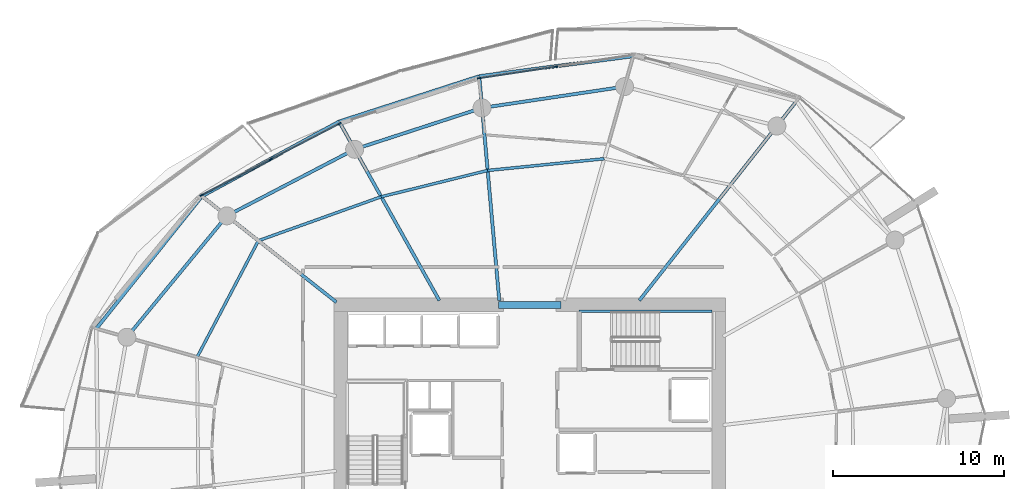
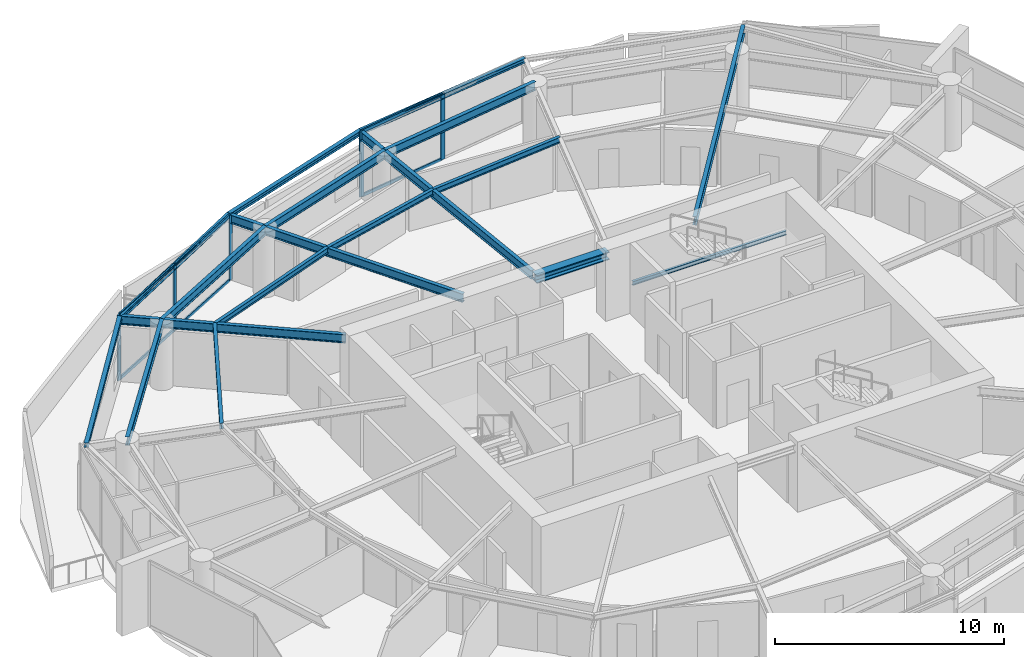
# One storey, part 8 of 20: 18 beams, 11 members, 2 elements without a shape of their own.
"""IFC4 building model written with IfcOpenShell, lengths in metres."""

from ifc_helpers import new_model, si_unit, direction, frame, origin, origin_2d, place, context, subcontext, project, spatial, rectangle, i_section, extrude, material, layer, layer_set, material_profile, profile_set, type_object, element, aggregate, save


model = new_model("IFC4")

# Units and contexts
model_context = context("Model", 3, precision=1e-05, world=origin(), true_north=direction((0.0, 1.0)))
body_context = subcontext(model_context, "Body", "Model", "MODEL_VIEW")
ifc_project = project(units=[si_unit("LENGTHUNIT", "METRE"), si_unit("AREAUNIT", "SQUARE_METRE"), si_unit("VOLUMEUNIT", "CUBIC_METRE"), si_unit("PLANEANGLEUNIT", "RADIAN"), si_unit("MASSUNIT", "GRAM", prefix="KILO")], contexts=[model_context])

# Site, building, storey
site_placement = place(None, origin())
site = spatial("IfcSite", under=ifc_project, at=site_placement, CompositionType="ELEMENT")
building_placement = place(site_placement, origin())
building = spatial("IfcBuilding", under=site, at=building_placement, Name="Kazma Halo Residences", CompositionType="ELEMENT")
storey_placement = place(building_placement, frame((0.0, 0.0, 139.050048828125)))
storey = spatial("IfcBuildingStorey", under=building, at=storey_placement, Name="L34", CompositionType="ELEMENT", Elevation=139.050048828125)

# Beams
ifc_material_1 = material(Name="Steel S355", Category="steel")
ifc_material_profile_1 = material_profile(ifc_material_1, i_section(OverallWidth=0.201904296875, OverallDepth=0.2470703125, WebThickness=0.00732421875, FlangeThickness=0.010986328125, FilletRadius=0.011962890625, at=origin_2d()), Name="W250x49.1")
ifc_profile_set_1 = profile_set([ifc_material_profile_1], Name="Steel S355")
beam_type_1 = type_object("IfcBeamType", Name="BM-BAL-CANT", PredefinedType="BEAM", material=ifc_profile_set_1)
beam_1_placement = place(storey_placement, frame((54.459228515625, 64.90234375, 3.37646484375), z_axis=(-0.991489228614, -0.130188745839, 0.0), x_axis=(0.130188745839, -0.991489228614, 0.0)))
element("IfcBeam", 1, at=beam_1_placement, inside=storey, type_object=beam_type_1, Name="L34 wave-balcony tie beam 03", PredefinedType="BEAM", context=body_context, shape_type="SweptSolid", body=[
    extrude(i_section(OverallWidth=0.201904296875, OverallDepth=0.2470703125, WebThickness=0.00732421875, FlangeThickness=0.010986328125, FilletRadius=0.011962890625, at=origin_2d()), origin(), (0.0, 0.0, 1.0), 9.053955078125),
])
beam_2_placement = place(storey_placement, frame((45.482421875, 63.7236328125, 3.37646484375), z_axis=(-0.951458235255, -0.307777885115, 0.0), x_axis=(0.307777885115, -0.951458235255, 0.0)))
element("IfcBeam", 2, at=beam_2_placement, inside=storey, type_object=beam_type_1, Name="L34 wave-balcony tie beam 04", PredefinedType="BEAM", context=body_context, shape_type="SweptSolid", body=[
    extrude(i_section(OverallWidth=0.201904296875, OverallDepth=0.2470703125, WebThickness=0.00732421875, FlangeThickness=0.010986328125, FilletRadius=0.011962890625, at=origin_2d()), origin(), (0.0, 0.0, 1.0), 8.585205078125),
])
beam_3_placement = place(storey_placement, frame((37.31396484375, 61.081298828125, 3.37646484375), z_axis=(-0.878572913315, -0.477608245312, 0.0), x_axis=(0.477608245312, -0.878572913315, 0.0)))
element("IfcBeam", 3, at=beam_3_placement, inside=storey, type_object=beam_type_1, Name="L34 wave-balcony tie beam 05", PredefinedType="BEAM", context=body_context, shape_type="SweptSolid", body=[
    extrude(i_section(OverallWidth=0.201904296875, OverallDepth=0.2470703125, WebThickness=0.00732421875, FlangeThickness=0.010986328125, FilletRadius=0.011962890625, at=origin_2d()), origin(), (0.0, 0.0, 1.0), 9.107177734375),
])
beam_4_placement = place(storey_placement, frame((29.312744140625, 56.731689453125, 3.37646484375), z_axis=(-0.623742400336, -0.781629975131, 0.0), x_axis=(0.781629975131, -0.623742400336, 0.0)))
element("IfcBeam", 4, at=beam_4_placement, inside=storey, type_object=beam_type_1, Name="L34 wave-balcony tie beam 06", PredefinedType="BEAM", context=body_context, shape_type="SweptSolid", body=[
    extrude(i_section(OverallWidth=0.201904296875, OverallDepth=0.2470703125, WebThickness=0.00732421875, FlangeThickness=0.010986328125, FilletRadius=0.011962890625, at=origin_2d()), origin(), (0.0, 0.0, 1.0), 9.880859375),
])
ifc_material_profile_2 = material_profile(ifc_material_1, i_section(OverallWidth=0.408935546875, OverallDepth=0.425048828125, WebThickness=0.03271484375, FlangeThickness=0.052490234375, FilletRadius=0.02001953125, at=origin_2d()), Name="W360x421")
ifc_profile_set_2 = profile_set([ifc_material_profile_2], Name="Steel S355")
beam_type_2 = type_object("IfcBeamType", Name="BM-CORE-W360H", PredefinedType="BEAM", material=ifc_profile_set_2)
beam_5_placement = place(storey_placement, frame((46.60009765625, 50.39990234375, 3.287353515625), z_axis=(1.0, 0.0, 0.0), x_axis=(0.0, 1.0, 0.0)))
element("IfcBeam", 5, at=beam_5_placement, inside=storey, type_object=beam_type_2, Name="L34 core coupling beam N", PredefinedType="BEAM", context=body_context, shape_type="SweptSolid", body=[
    extrude(i_section(OverallWidth=0.408935546875, OverallDepth=0.425048828125, WebThickness=0.03271484375, FlangeThickness=0.052490234375, FilletRadius=0.02001953125, at=origin_2d()), origin(), (0.0, 0.0, 1.0), 3.64990234375),
])
ifc_material_profile_3 = material_profile(ifc_material_1, i_section(OverallWidth=0.18994140625, OverallDepth=0.45703125, WebThickness=0.009033203125, FlangeThickness=0.014404296875, FilletRadius=0.01611328125, at=origin_2d()), Name="W460x74")
ifc_profile_set_3 = profile_set([ifc_material_profile_3], Name="Steel S355")
beam_type_3 = type_object("IfcBeamType", Name="BM-RAD-W460", PredefinedType="BEAM", material=ifc_profile_set_3)
beam_6_placement = place(storey_placement, frame((54.819091796875, 50.64990234375, 3.271484375), z_axis=(0.619094498239, 0.785316498139, 0.0), x_axis=(-0.785316498139, 0.619094498239, 0.0)))
element("IfcBeam", 6, at=beam_6_placement, inside=storey, type_object=beam_type_3, Name="L34 radial floor beam 02", PredefinedType="BEAM", context=body_context, shape_type="SweptSolid", body=[
    extrude(i_section(OverallWidth=0.18994140625, OverallDepth=0.45703125, WebThickness=0.009033203125, FlangeThickness=0.014404296875, FilletRadius=0.01611328125, at=origin_2d()), origin(), (0.0, 0.0, 1.0), 14.80517578125),
])
beam_7_placement = place(storey_placement, frame((46.64990234375, 50.64990234375, 3.271484375), z_axis=(-0.088945777727, 0.996036469525, 0.0), x_axis=(-0.996036469525, -0.088945777727, 0.0)))
element("IfcBeam", 7, at=beam_7_placement, inside=storey, type_object=beam_type_3, Name="L34 radial floor beam 04", PredefinedType="BEAM", context=body_context, shape_type="SweptSolid", body=[
    extrude(i_section(OverallWidth=0.18994140625, OverallDepth=0.45703125, WebThickness=0.009033203125, FlangeThickness=0.014404296875, FilletRadius=0.01611328125, at=origin_2d()), origin(), (0.0, 0.0, 1.0), 13.125732421875),
])
beam_8_placement = place(storey_placement, frame((43.15576171875, 50.64990234375, 3.271484375), z_axis=(-0.488617048735, 0.872498355119, 0.0), x_axis=(-0.872498355119, -0.488617048735, 0.0)))
element("IfcBeam", 8, at=beam_8_placement, inside=storey, type_object=beam_type_3, Name="L34 radial floor beam 05", PredefinedType="BEAM", context=body_context, shape_type="SweptSolid", body=[
    extrude(i_section(OverallWidth=0.18994140625, OverallDepth=0.45703125, WebThickness=0.009033203125, FlangeThickness=0.014404296875, FilletRadius=0.01611328125, at=origin_2d()), origin(), (0.0, 0.0, 1.0), 11.955810546875),
])
beam_9_placement = place(storey_placement, frame((37.14990234375, 50.553466796875, 3.271484375), z_axis=(-0.785321544409, 0.619088097032, 0.0), x_axis=(-0.619088097032, -0.785321544409, 0.0)))
element("IfcBeam", 9, at=beam_9_placement, inside=storey, type_object=beam_type_3, Name="L34 radial floor beam 06", PredefinedType="BEAM", context=body_context, shape_type="SweptSolid", body=[
    extrude(i_section(OverallWidth=0.18994140625, OverallDepth=0.45703125, WebThickness=0.009033203125, FlangeThickness=0.014404296875, FilletRadius=0.01611328125, at=origin_2d()), origin(), (0.0, 0.0, 1.0), 9.9794921875),
])
ifc_material_profile_4 = material_profile(ifc_material_1, i_section(OverallWidth=0.1650390625, OverallDepth=0.31005859375, WebThickness=0.005859375, FlangeThickness=0.009765625, FilletRadius=0.011962890625, at=origin_2d()), Name="W310x38.7")
ifc_profile_set_4 = profile_set([ifc_material_profile_4], Name="Steel S355")
beam_type_4 = type_object("IfcBeamType", Name="BM-SEC-W310B", PredefinedType="JOIST", material=ifc_profile_set_4)
beam_10_placement = place(storey_placement, frame((52.77099609375, 58.91650390625, 3.344970703125), z_axis=(-0.994979001613, -0.100083896557, 0.0), x_axis=(0.100083896557, -0.994979001613, 0.0)))
element("IfcBeam", 10, at=beam_10_placement, inside=storey, type_object=beam_type_4, Name="L34 circumferential floor joist 03", PredefinedType="JOIST", context=body_context, shape_type="SweptSolid", body=[
    extrude(i_section(OverallWidth=0.1650390625, OverallDepth=0.31005859375, WebThickness=0.005859375, FlangeThickness=0.009765625, FilletRadius=0.011962890625, at=origin_2d()), origin(), (0.0, 0.0, 1.0), 6.832763671875),
])
beam_11_placement = place(storey_placement, frame((45.97265625, 58.232666015625, 3.344970703125), z_axis=(-0.970830601663, -0.239766434004, 0.0), x_axis=(0.239766434004, -0.970830601663, 0.0)))
element("IfcBeam", 11, at=beam_11_placement, inside=storey, type_object=beam_type_4, Name="L34 circumferential floor joist 04", PredefinedType="JOIST", context=body_context, shape_type="SweptSolid", body=[
    extrude(i_section(OverallWidth=0.1650390625, OverallDepth=0.31005859375, WebThickness=0.005859375, FlangeThickness=0.009765625, FilletRadius=0.011962890625, at=origin_2d()), origin(), (0.0, 0.0, 1.0), 6.3916015625),
])
beam_12_placement = place(storey_placement, frame((39.767578125, 56.7001953125, 3.344970703125), z_axis=(-0.941534087973, -0.336917736525, 0.0), x_axis=(0.336917736525, -0.941534087973, 0.0)))
element("IfcBeam", 12, at=beam_12_placement, inside=storey, type_object=beam_type_4, Name="L34 circumferential floor joist 05", PredefinedType="JOIST", context=body_context, shape_type="SweptSolid", body=[
    extrude(i_section(OverallWidth=0.1650390625, OverallDepth=0.31005859375, WebThickness=0.005859375, FlangeThickness=0.009765625, FilletRadius=0.011962890625, at=origin_2d()), origin(), (0.0, 0.0, 1.0), 7.60791015625),
])
beam_13_placement = place(storey_placement, frame((32.6044921875, 54.136962890625, 3.344970703125), z_axis=(-0.466019257875, -0.884774576539, 0.0), x_axis=(0.884774576539, -0.466019257875, 0.0)))
element("IfcBeam", 13, at=beam_13_placement, inside=storey, type_object=beam_type_4, Name="L34 circumferential floor joist 06", PredefinedType="JOIST", context=body_context, shape_type="SweptSolid", body=[
    extrude(i_section(OverallWidth=0.1650390625, OverallDepth=0.31005859375, WebThickness=0.005859375, FlangeThickness=0.009765625, FilletRadius=0.011962890625, at=origin_2d()), origin(), (0.0, 0.0, 1.0), 7.670654296875),
])
ifc_material_profile_5 = material_profile(ifc_material_1, i_section(OverallWidth=0.18994140625, OverallDepth=0.45703125, WebThickness=0.009033203125, FlangeThickness=0.014404296875, FilletRadius=0.01611328125, at=origin_2d()), Name="W460x74")
ifc_profile_set_5 = profile_set([ifc_material_profile_5], Name="Steel S355")
beam_type_5 = type_object("IfcBeamType", Name="BM-SPN-W460", PredefinedType="BEAM", material=ifc_profile_set_5)
beam_14_placement = place(storey_placement, frame((53.95703125, 63.121826171875, 3.271484375), z_axis=(-0.989037147603, -0.147666924735, 0.0), x_axis=(0.147666924735, -0.989037147603, 0.0)))
element("IfcBeam", 14, at=beam_14_placement, inside=storey, type_object=beam_type_5, Name="L34 perimeter ring beam 03", PredefinedType="BEAM", context=body_context, shape_type="SweptSolid", body=[
    extrude(i_section(OverallWidth=0.18994140625, OverallDepth=0.45703125, WebThickness=0.009033203125, FlangeThickness=0.014404296875, FilletRadius=0.01611328125, at=origin_2d()), origin(), (0.0, 0.0, 1.0), 8.402099609375),
])
beam_15_placement = place(storey_placement, frame((45.64697265625, 61.881103515625, 3.271484375), z_axis=(-0.95105634578, -0.309017519167, 0.0), x_axis=(0.309017519167, -0.95105634578, 0.0)))
element("IfcBeam", 15, at=beam_15_placement, inside=storey, type_object=beam_type_5, Name="L34 perimeter ring beam 04", PredefinedType="BEAM", context=body_context, shape_type="SweptSolid", body=[
    extrude(i_section(OverallWidth=0.18994140625, OverallDepth=0.45703125, WebThickness=0.009033203125, FlangeThickness=0.014404296875, FilletRadius=0.01611328125, at=origin_2d()), origin(), (0.0, 0.0, 1.0), 7.811279296875),
])
beam_16_placement = place(storey_placement, frame((38.218017578125, 59.46728515625, 3.271484375), z_axis=(-0.886943099021, -0.461878706046, 0.0), x_axis=(0.461878706046, -0.886943099021, 0.0)))
element("IfcBeam", 16, at=beam_16_placement, inside=storey, type_object=beam_type_5, Name="L34 perimeter ring beam 05", PredefinedType="BEAM", context=body_context, shape_type="SweptSolid", body=[
    extrude(i_section(OverallWidth=0.18994140625, OverallDepth=0.45703125, WebThickness=0.009033203125, FlangeThickness=0.014404296875, FilletRadius=0.01611328125, at=origin_2d()), origin(), (0.0, 0.0, 1.0), 8.40234375),
])
beam_17_placement = place(storey_placement, frame((30.765625, 55.58642578125, 3.271484375), z_axis=(-0.636018723515, -0.771673624882, 0.0), x_axis=(0.771673624882, -0.636018723515, 0.0)))
element("IfcBeam", 17, at=beam_17_placement, inside=storey, type_object=beam_type_5, Name="L34 perimeter ring beam 06", PredefinedType="BEAM", context=body_context, shape_type="SweptSolid", body=[
    extrude(i_section(OverallWidth=0.18994140625, OverallDepth=0.45703125, WebThickness=0.009033203125, FlangeThickness=0.014404296875, FilletRadius=0.01611328125, at=origin_2d()), origin(), (0.0, 0.0, 1.0), 9.175048828125),
])
ifc_material_profile_6 = material_profile(ifc_material_1, i_section(OverallWidth=0.133056640625, OverallDepth=0.20703125, WebThickness=0.005859375, FlangeThickness=0.00830078125, FilletRadius=0.010009765625, at=origin_2d()), Name="W200x26.6")
ifc_profile_set_6 = profile_set([ifc_material_profile_6], Name="Steel S355")
beam_type_6 = type_object("IfcBeamType", Name="BM-TRIM-W200", PredefinedType="BEAM", material=ifc_profile_set_6)
beam_18_placement = place(storey_placement, frame((51.31005859375, 50.02001953125, 1.570068359375), z_axis=(1.0, 0.0, 0.0), x_axis=(0.0, 1.0, 0.0)))
element("IfcBeam", 18, at=beam_18_placement, inside=storey, type_object=beam_type_6, Name="L34 ST-02 landing north wall ledger", PredefinedType="BEAM", context=body_context, shape_type="SweptSolid", body=[
    extrude(i_section(OverallWidth=0.133056640625, OverallDepth=0.20703125, WebThickness=0.005859375, FlangeThickness=0.00830078125, FilletRadius=0.010009765625, at=origin_2d()), origin(), (0.0, 0.0, 1.0), 7.760009765625),
])

# Curtain wall, members
ifc_material_2 = material(Name="Aluminium AW-6063 T6 and Triple-Silver Low-E Glass", Category="aluminium")
ifc_layer = layer(ifc_material_2, 0.219970703125)
ifc_layer_set = layer_set([ifc_layer], Name="Aluminium AW-6063 T6 and Triple-Silver Low-E Glass")
curtain_wall_type = type_object("IfcCurtainWallType", Name="CW-SYS-4", PredefinedType="NOTDEFINED", material=ifc_layer_set)
curtain_wall_1_placement = place(storey_placement, origin())
curtain_wall_1 = element("IfcCurtainWall", 19, at=curtain_wall_1_placement, inside=storey, type_object=curtain_wall_type, Name="L34 unitised curtain wall B03", PredefinedType="NOTDEFINED")
ifc_material_3 = material(Name="Aluminium AW-6063 T6", Category="aluminium")
ifc_material_profile_7 = material_profile(ifc_material_3, rectangle(XDim=0.074951171875, YDim=0.219970703125, at=origin_2d()), Name="CWM-75x220")
ifc_profile_set_7 = profile_set([ifc_material_profile_7], Name="Aluminium AW-6063 T6")
member_type_1 = type_object("IfcMemberType", Name="CW-SYS-4-MUL", PredefinedType="MULLION", material=ifc_profile_set_7)
member_1_placement = place(storey_placement, frame((49.960205078125, 64.28857421875, 0.0), z_axis=(0.0, 0.0, 1.0), x_axis=(0.148821022686, -0.988864148004, 0.0)))
member_1 = element("IfcMember", 20, at=member_1_placement, type_object=member_type_1, Name="CWS-4 mullion 2", PredefinedType="MULLION", context=body_context, shape_type="SweptSolid", body=[
    extrude(rectangle(XDim=0.074951171875, YDim=0.219970703125, at=origin_2d()), origin(), (0.0, 0.0, 1.0), 3.5),
])
member_2_placement = place(storey_placement, frame((45.4794921875, 63.6142578125, 0.0), z_axis=(0.0, 0.0, 1.0), x_axis=(0.148821022686, -0.988864148004, 0.0)))
member_2 = element("IfcMember", 21, at=member_2_placement, type_object=member_type_1, Name="CWS-4 mullion 3", PredefinedType="MULLION", context=body_context, shape_type="SweptSolid", body=[
    extrude(rectangle(XDim=0.074951171875, YDim=0.219970703125, at=origin_2d()), origin(), (0.0, 0.0, 1.0), 3.5),
])

curtain_wall_2_placement = place(storey_placement, origin())
curtain_wall_2 = element("IfcCurtainWall", 22, at=curtain_wall_2_placement, inside=storey, type_object=curtain_wall_type, Name="L34 unitised curtain wall B05", PredefinedType="NOTDEFINED")
member_3_placement = place(storey_placement, frame((37.33447265625, 60.9677734375, 0.0), z_axis=(0.0, 0.0, 1.0), x_axis=(0.460837484552, -0.887484542306, 0.0)))
member_3 = element("IfcMember", 23, at=member_3_placement, type_object=member_type_1, Name="CWS-4 mullion 1", PredefinedType="MULLION", context=body_context, shape_type="SweptSolid", body=[
    extrude(rectangle(XDim=0.074951171875, YDim=0.219970703125, at=origin_2d()), origin(), (0.0, 0.0, 1.0), 3.5),
])
member_4_placement = place(storey_placement, frame((33.313232421875, 58.879638671875, 0.0), z_axis=(0.0, 0.0, 1.0), x_axis=(0.460837484552, -0.887484542306, 0.0)))
member_4 = element("IfcMember", 24, at=member_4_placement, type_object=member_type_1, Name="CWS-4 mullion 2", PredefinedType="MULLION", context=body_context, shape_type="SweptSolid", body=[
    extrude(rectangle(XDim=0.074951171875, YDim=0.219970703125, at=origin_2d()), origin(), (0.0, 0.0, 1.0), 3.5),
])
member_5_placement = place(storey_placement, frame((29.2919921875, 56.791748046875, 0.0), z_axis=(0.0, 0.0, 1.0), x_axis=(0.460837484552, -0.887484542306, 0.0)))
member_5 = element("IfcMember", 25, at=member_5_placement, type_object=member_type_1, Name="CWS-4 mullion 3", PredefinedType="MULLION", context=body_context, shape_type="SweptSolid", body=[
    extrude(rectangle(XDim=0.074951171875, YDim=0.219970703125, at=origin_2d()), origin(), (0.0, 0.0, 1.0), 3.5),
])

# Member
ifc_material_profile_8 = material_profile(ifc_material_3, rectangle(XDim=0.074951171875, YDim=0.1650390625, at=origin_2d()), Name="CWT-75x165")
ifc_profile_set_8 = profile_set([ifc_material_profile_8], Name="Aluminium AW-6063 T6")
member_type_2 = type_object("IfcMemberType", Name="CW-SYS-4-TRN", PredefinedType="USERDEFINED", material=ifc_profile_set_8)
member_6_placement = place(storey_placement, frame((49.923095703125, 64.282958984375, 0.037353515625), z_axis=(-0.988866721231, -0.148803923478, 0.0), x_axis=(0.148803923478, -0.988866721231, 0.0)))
member_6 = element("IfcMember", 26, at=member_6_placement, type_object=member_type_2, Name="CWS-4 transom 2.1", ObjectType="TRANSOM", PredefinedType="USERDEFINED", context=body_context, shape_type="SweptSolid", body=[
    extrude(rectangle(XDim=0.074951171875, YDim=0.1650390625, at=origin_2d()), origin(), (0.0, 0.0, 1.0), 4.4560546875),
])

member_7_placement = place(storey_placement, frame((49.923095703125, 64.282958984375, 3.46240234375), z_axis=(-0.988866721231, -0.148803923478, 0.0), x_axis=(0.148803923478, -0.988866721231, 0.0)))
member_7 = element("IfcMember", 27, at=member_7_placement, type_object=member_type_2, Name="CWS-4 transom 2.2", ObjectType="TRANSOM", PredefinedType="USERDEFINED", context=body_context, shape_type="SweptSolid", body=[
    extrude(rectangle(XDim=0.074951171875, YDim=0.1650390625, at=origin_2d()), origin(), (0.0, 0.0, 1.0), 4.4560546875),
])

aggregate(curtain_wall_1, [member_1, member_2, member_6, member_7])

member_8_placement = place(storey_placement, frame((37.30126953125, 60.950439453125, 0.037353515625), z_axis=(-0.887484872803, -0.460836848077, 0.0), x_axis=(0.460836848077, -0.887484872803, 0.0)))
member_8 = element("IfcMember", 28, at=member_8_placement, type_object=member_type_2, Name="CWS-4 transom 1.1", ObjectType="TRANSOM", PredefinedType="USERDEFINED", context=body_context, shape_type="SweptSolid", body=[
    extrude(rectangle(XDim=0.074951171875, YDim=0.1650390625, at=origin_2d()), origin(), (0.0, 0.0, 1.0), 4.4560546875),
])

member_9_placement = place(storey_placement, frame((37.30126953125, 60.950439453125, 3.46240234375), z_axis=(-0.887484872803, -0.460836848077, 0.0), x_axis=(0.460836848077, -0.887484872803, 0.0)))
member_9 = element("IfcMember", 29, at=member_9_placement, type_object=member_type_2, Name="CWS-4 transom 1.2", ObjectType="TRANSOM", PredefinedType="USERDEFINED", context=body_context, shape_type="SweptSolid", body=[
    extrude(rectangle(XDim=0.074951171875, YDim=0.1650390625, at=origin_2d()), origin(), (0.0, 0.0, 1.0), 4.4560546875),
])

member_10_placement = place(storey_placement, frame((33.280029296875, 58.862548828125, 0.037353515625), z_axis=(-0.887484872803, -0.460836848077, 0.0), x_axis=(0.460836848077, -0.887484872803, 0.0)))
member_10 = element("IfcMember", 30, at=member_10_placement, type_object=member_type_2, Name="CWS-4 transom 2.1", ObjectType="TRANSOM", PredefinedType="USERDEFINED", context=body_context, shape_type="SweptSolid", body=[
    extrude(rectangle(XDim=0.074951171875, YDim=0.1650390625, at=origin_2d()), origin(), (0.0, 0.0, 1.0), 4.4560546875),
])

member_11_placement = place(storey_placement, frame((33.280029296875, 58.862548828125, 3.46240234375), z_axis=(-0.887484872803, -0.460836848077, 0.0), x_axis=(0.460836848077, -0.887484872803, 0.0)))
member_11 = element("IfcMember", 31, at=member_11_placement, type_object=member_type_2, Name="CWS-4 transom 2.2", ObjectType="TRANSOM", PredefinedType="USERDEFINED", context=body_context, shape_type="SweptSolid", body=[
    extrude(rectangle(XDim=0.074951171875, YDim=0.1650390625, at=origin_2d()), origin(), (0.0, 0.0, 1.0), 4.4560546875),
])

aggregate(curtain_wall_2, [member_3, member_4, member_5, member_8, member_9, member_10, member_11])

save(model, "model.ifc")
